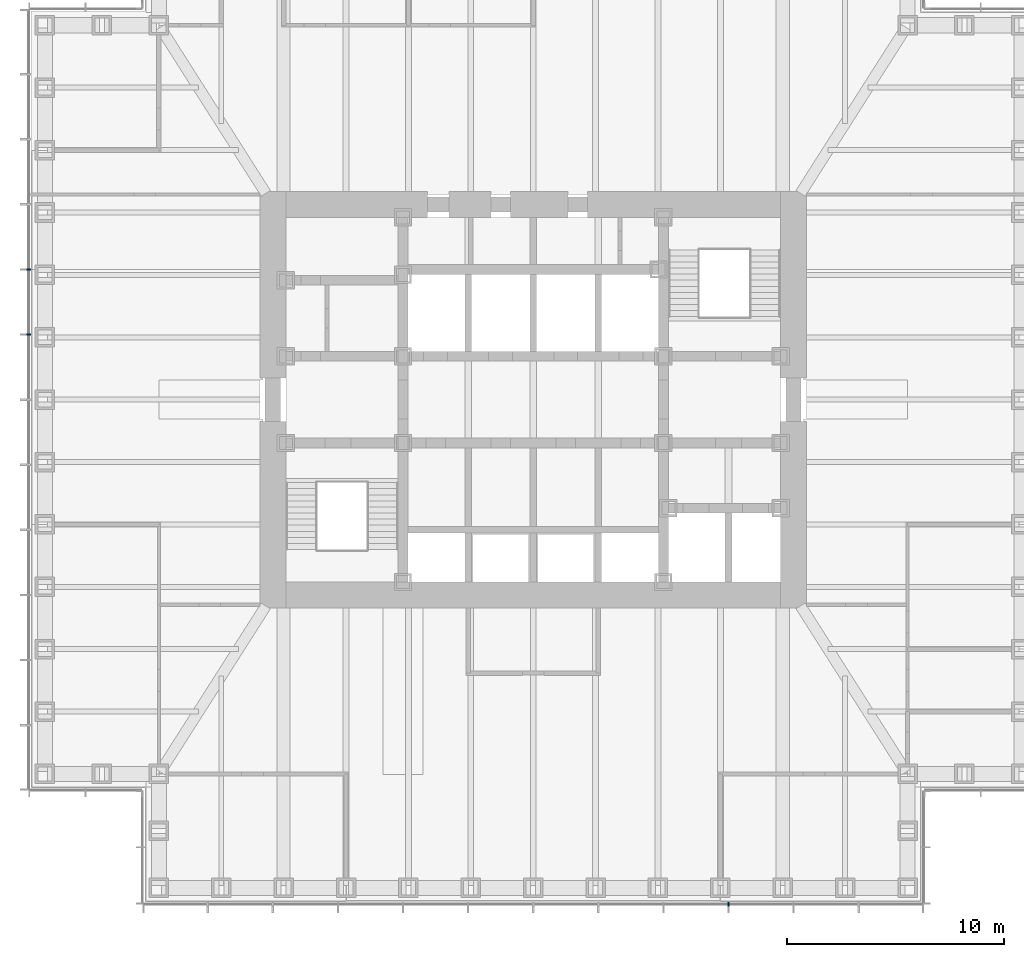
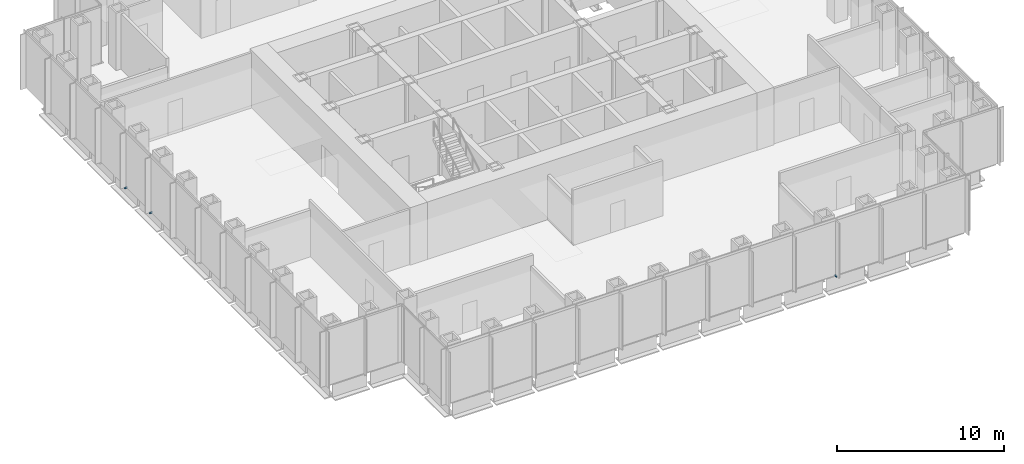
# One storey, part 12 of 16: 3 discrete accessories.
"""IFC4 building model written with IfcOpenShell, lengths in metres."""

from ifc_helpers import new_model, si_unit, direction, frame, origin, origin_2d, place, context, subcontext, project, spatial, rectangle, extrude, element, save


model = new_model("IFC4")

# Units and contexts
model_context = context("Model", 3, precision=1e-05, world=origin(), true_north=direction((0.0, 1.0)))
body_context = subcontext(model_context, "Body", "Model", "MODEL_VIEW")
ifc_project = project(units=[si_unit("LENGTHUNIT", "METRE"), si_unit("AREAUNIT", "SQUARE_METRE"), si_unit("VOLUMEUNIT", "CUBIC_METRE"), si_unit("PLANEANGLEUNIT", "RADIAN"), si_unit("MASSUNIT", "GRAM", prefix="KILO")], contexts=[model_context])

# Site, building, storey
site_placement = place(None, origin())
site = spatial("IfcSite", under=ifc_project, at=site_placement, CompositionType="ELEMENT")
building_placement = place(site_placement, origin())
building = spatial("IfcBuilding", under=site, at=building_placement, Name="Daluyong Arena Tower", CompositionType="ELEMENT")
storey_placement = place(building_placement, frame((0.0, 0.0, 141.699951171875)))
storey = spatial("IfcBuildingStorey", under=building, at=storey_placement, Name="L31", CompositionType="ELEMENT", Elevation=141.699951171875)

# Discrete accessories
for number, where, z_axis, x_axis, name in (
    (1, (65.0, 56.75, -0.10009765625), (0.0, 0.0, 1.0), (1.0, 0.0, 0.0), "curtain wall L31 S anchor bracket 10"),
    (2, (32.75, 86.0, -0.10009765625), (0.0, 0.0, 1.0), (0.0, -1.0, 0.0), "curtain wall L31 W anchor bracket 5"),
    (3, (32.75, 83.0, -0.10009765625), (0.0, 0.0, 1.0), (0.0, -1.0, 0.0), "curtain wall L31 W anchor bracket 6"),
):
    element("IfcDiscreteAccessory", number, at=place(storey_placement, frame(where, z_axis=z_axis, x_axis=x_axis)), inside=storey, Name=name, PredefinedType="BRACKET", context=body_context, shape_type="SweptSolid", body=[
        extrude(rectangle(XDim=0.080078125, YDim=0.199951171875, at=origin_2d()), origin(), (0.0, 0.0, 1.0), 0.10009765625),
    ])

save(model, "model.ifc")
